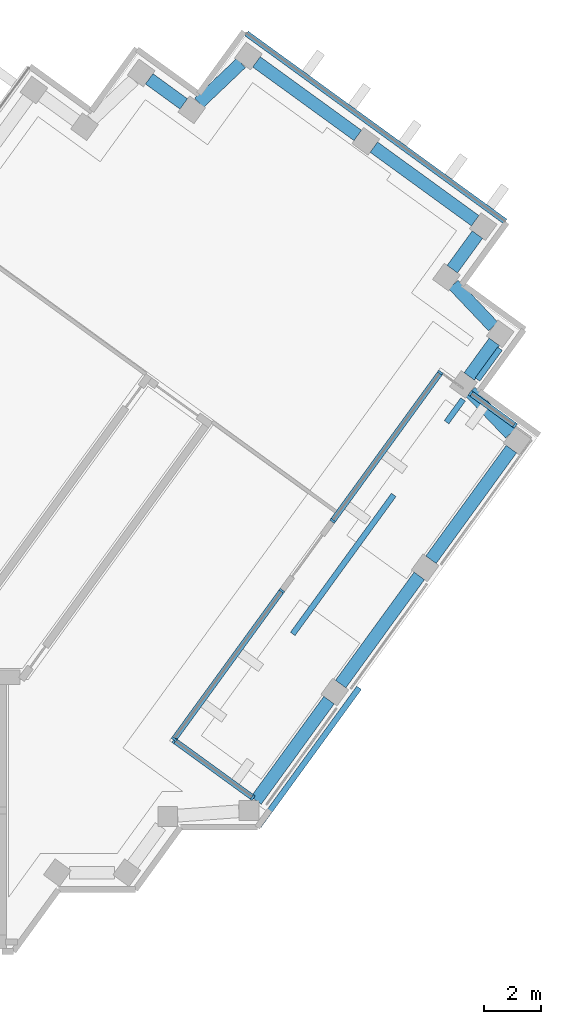
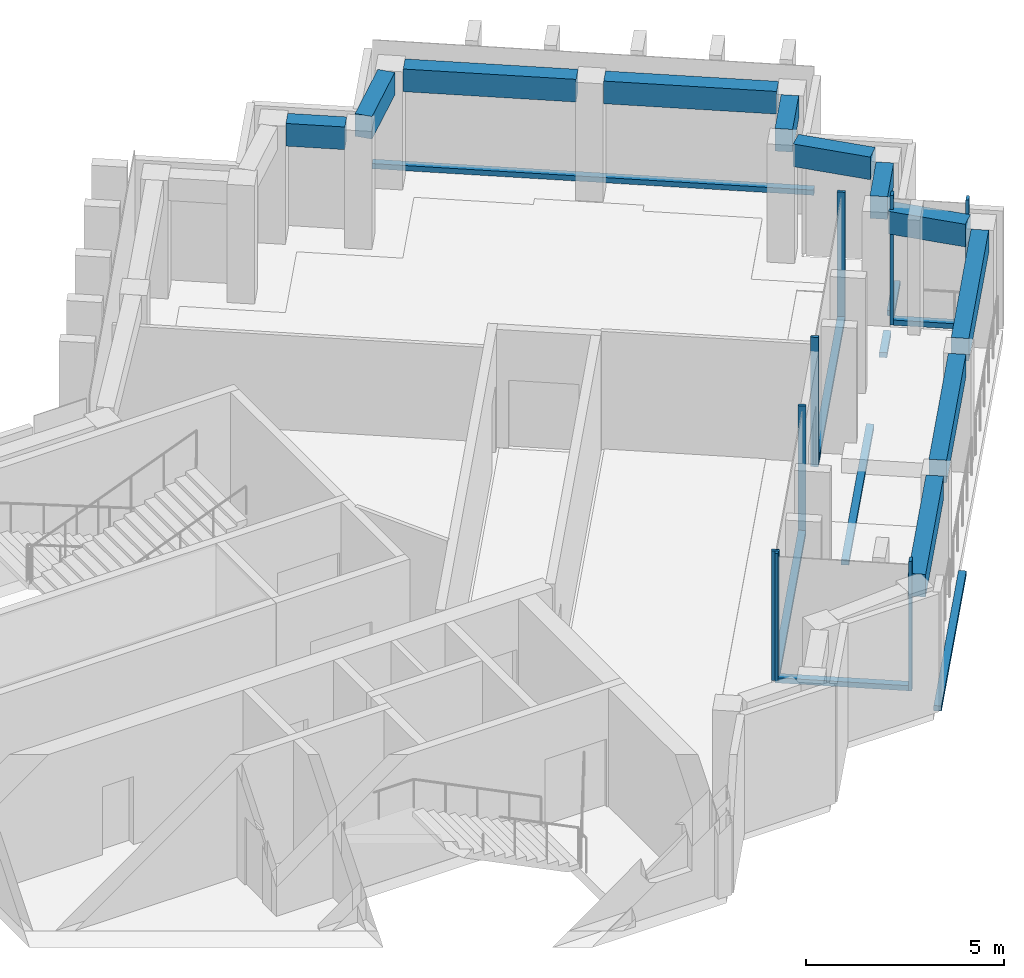
"""IFC4 building model written with IfcOpenShell, lengths in metres."""

from ifc_helpers import new_model, si_unit, direction, frame, origin, origin_2d, place, context, subcontext, project, spatial, rectangle, extrude, material, material_profile, profile_set, type_object, element, aggregate, save


model = new_model("IFC4")

# Units and contexts
model_context = context("Model", 3, precision=1e-05, world=origin(), true_north=direction((0.0, 1.0)))
body_context = subcontext(model_context, "Body", "Model", "MODEL_VIEW")
ifc_project = project(units=[si_unit("LENGTHUNIT", "METRE"), si_unit("AREAUNIT", "SQUARE_METRE"), si_unit("VOLUMEUNIT", "CUBIC_METRE"), si_unit("PLANEANGLEUNIT", "RADIAN"), si_unit("MASSUNIT", "GRAM", prefix="KILO")], contexts=[model_context])

# Site, building, storey
site_placement = place(None, origin())
site = spatial("IfcSite", under=ifc_project, at=site_placement, CompositionType="ELEMENT")
building_placement = place(site_placement, origin())
building = spatial("IfcBuilding", under=site, at=building_placement, Name="Quipu Civic Tower", CompositionType="ELEMENT")
storey_1_placement = place(building_placement, frame((0.0, 0.0, 315.0)))
storey_1 = spatial("IfcBuildingStorey", under=building, at=storey_1_placement, Name="L73", CompositionType="ELEMENT", Elevation=315.0)

# Curtain wall, members
ifc_material_1 = material(Name="Insulated glass unit", Category="glass")
curtain_wall_type = type_object("IfcCurtainWallType", Name="Office curtain wall CW1", PredefinedType="NOTDEFINED", material=ifc_material_1)
curtain_wall_1_placement = place(storey_1_placement, origin())
curtain_wall_1 = element("IfcCurtainWall", 1, at=curtain_wall_1_placement, inside=storey_1, type_object=curtain_wall_type, Name="Office curtain wall CW1 L73 run 3", PredefinedType="NOTDEFINED")
ifc_material_2 = material(Name="Anodised aluminium", Category="aluminium")
ifc_material_profile_1 = material_profile(ifc_material_2, rectangle(XDim=0.199951171875, YDim=0.080078125, at=origin_2d()), Name="RECT 200x80")
ifc_profile_set_1 = profile_set([ifc_material_profile_1], Name="Anodised aluminium")
member_type_1 = type_object("IfcMemberType", Name="Mullion CW1", PredefinedType="MULLION", material=ifc_profile_set_1)
member_1_placement = place(storey_1_placement, frame((28.662353515625, -5.675537109375, 0.080078125), z_axis=(0.0, 0.0, 1.0), x_axis=(-0.58778423342, -0.809017734628, 0.0)))
member_1 = element("IfcMember", 2, at=member_1_placement, type_object=member_type_1, Name="CW1 mullion 1", PredefinedType="MULLION", context=body_context, shape_type="SweptSolid", body=[
    extrude(rectangle(XDim=0.199951171875, YDim=0.080078125, at=origin_2d()), origin(), (0.0, 0.0, 1.0), 4.0),
])
member_2_placement = place(storey_1_placement, frame((25.908447265625, -3.6748046875, 0.080078125), z_axis=(0.0, 0.0, 1.0), x_axis=(-0.58778423342, -0.809017734628, 0.0)))
member_2 = element("IfcMember", 3, at=member_2_placement, type_object=member_type_1, Name="CW1 mullion 2", PredefinedType="MULLION", context=body_context, shape_type="SweptSolid", body=[
    extrude(rectangle(XDim=0.199951171875, YDim=0.080078125, at=origin_2d()), origin(), (0.0, 0.0, 1.0), 4.0),
])

curtain_wall_2_placement = place(storey_1_placement, origin())
curtain_wall_2 = element("IfcCurtainWall", 4, at=curtain_wall_2_placement, inside=storey_1, type_object=curtain_wall_type, Name="Office curtain wall CW1 L73 run 4", PredefinedType="NOTDEFINED")
member_3_placement = place(storey_1_placement, frame((25.899658203125, -3.618896484375, 0.080078125), z_axis=(0.0, 0.0, 1.0), x_axis=(-0.809011305716, 0.58779308198, 0.0)))
member_3 = element("IfcMember", 5, at=member_3_placement, type_object=member_type_1, Name="CW1 mullion 1", PredefinedType="MULLION", context=body_context, shape_type="SweptSolid", body=[
    extrude(rectangle(XDim=0.199951171875, YDim=0.080078125, at=origin_2d()), origin(), (0.0, 0.0, 1.0), 4.0),
])
member_4_placement = place(storey_1_placement, frame((29.68408203125, 1.58984375, 0.080078125), z_axis=(0.0, 0.0, 1.0), x_axis=(-0.809011305716, 0.58779308198, 0.0)))
member_4 = element("IfcMember", 6, at=member_4_placement, type_object=member_type_1, Name="CW1 mullion 2", PredefinedType="MULLION", context=body_context, shape_type="SweptSolid", body=[
    extrude(rectangle(XDim=0.199951171875, YDim=0.080078125, at=origin_2d()), origin(), (0.0, 0.0, 1.0), 4.0),
])

curtain_wall_3_placement = place(storey_1_placement, origin())
curtain_wall_3 = element("IfcCurtainWall", 7, at=curtain_wall_3_placement, inside=storey_1, type_object=curtain_wall_type, Name="Office curtain wall CW1 L73 run 6", PredefinedType="NOTDEFINED")
member_5_placement = place(storey_1_placement, frame((31.47265625, 4.0517578125, 0.080078125), z_axis=(0.0, 0.0, 1.0), x_axis=(-0.809016605967, 0.58778578689, 0.0)))
member_5 = element("IfcMember", 8, at=member_5_placement, type_object=member_type_1, Name="CW1 mullion 1", PredefinedType="MULLION", context=body_context, shape_type="SweptSolid", body=[
    extrude(rectangle(XDim=0.199951171875, YDim=0.080078125, at=origin_2d()), origin(), (0.0, 0.0, 1.0), 4.0),
])
member_6_placement = place(storey_1_placement, frame((35.257080078125, 9.2607421875, 0.080078125), z_axis=(0.0, 0.0, 1.0), x_axis=(-0.809016605967, 0.58778578689, 0.0)))
member_6 = element("IfcMember", 9, at=member_6_placement, type_object=member_type_1, Name="CW1 mullion 2", PredefinedType="MULLION", context=body_context, shape_type="SweptSolid", body=[
    extrude(rectangle(XDim=0.199951171875, YDim=0.080078125, at=origin_2d()), origin(), (0.0, 0.0, 1.0), 4.0),
])

curtain_wall_4_placement = place(storey_1_placement, origin())
curtain_wall_4 = element("IfcCurtainWall", 10, at=curtain_wall_4_placement, inside=storey_1, type_object=curtain_wall_type, Name="Office curtain wall CW1 L73 run 8", PredefinedType="NOTDEFINED")
member_7_placement = place(storey_1_placement, frame((36.324951171875, 8.5341796875, 0.080078125), z_axis=(0.0, 0.0, 1.0), x_axis=(0.587785088049, 0.809017113705, 0.0)))
member_7 = element("IfcMember", 11, at=member_7_placement, type_object=member_type_1, Name="CW1 mullion 1", PredefinedType="MULLION", context=body_context, shape_type="SweptSolid", body=[
    extrude(rectangle(XDim=0.199951171875, YDim=0.080078125, at=origin_2d()), origin(), (0.0, 0.0, 1.0), 4.0),
])
member_8_placement = place(storey_1_placement, frame((37.878173828125, 7.40576171875, 0.080078125), z_axis=(0.0, 0.0, 1.0), x_axis=(0.587785088049, 0.809017113705, 0.0)))
member_8 = element("IfcMember", 12, at=member_8_placement, type_object=member_type_1, Name="CW1 mullion 2", PredefinedType="MULLION", context=body_context, shape_type="SweptSolid", body=[
    extrude(rectangle(XDim=0.199951171875, YDim=0.080078125, at=origin_2d()), origin(), (0.0, 0.0, 1.0), 4.0),
])

# Beams
ifc_material_3 = material(Name="Concrete C50/60", Category="concrete")
ifc_material_profile_2 = material_profile(ifc_material_3, rectangle(XDim=0.449951171875, YDim=0.699951171875, at=origin_2d()), Name="RC450x700")
ifc_profile_set_2 = profile_set([ifc_material_profile_2], Name="Concrete C50/60")
beam_type = type_object("IfcBeamType", Name="Spandrel beam RC 450x700 C50/60", PredefinedType="SPANDREL", material=ifc_profile_set_2)
beam_1_placement = place(storey_1_placement, frame((28.779296875, -5.780029296875, 3.300048828125), z_axis=(0.58777550284, 0.809024077677, 0.0), x_axis=(-0.809024077677, 0.58777550284, 0.0)))
element("IfcBeam", 13, at=beam_1_placement, inside=storey_1, type_object=beam_type, Name="Spandrel beam L73 J-Eo.4 to E-OUT-01", PredefinedType="SPANDREL", context=body_context, shape_type="SweptSolid", body=[
    extrude(rectangle(XDim=0.449951171875, YDim=0.699951171875, at=origin_2d()), origin(), (0.0, 0.0, 1.0), 4.36083984375),
])
beam_2_placement = place(storey_1_placement, frame((31.75390625, -1.685546875, 3.300048828125), z_axis=(0.587788656305, 0.809014521204, 0.0), x_axis=(-0.809014521204, 0.587788656305, 0.0)))
element("IfcBeam", 14, at=beam_2_placement, inside=storey_1, type_object=beam_type, Name="Spandrel beam L73 E-OUT-01 to E-OUT-02", PredefinedType="SPANDREL", context=body_context, shape_type="SweptSolid", body=[
    extrude(rectangle(XDim=0.449951171875, YDim=0.699951171875, at=origin_2d()), origin(), (0.0, 0.0, 1.0), 4.7001953125),
])
beam_3_placement = place(storey_1_placement, frame((34.927978515625, 2.68310546875, 3.300048828125), z_axis=(0.587905928359, 0.808929304328, 0.0), x_axis=(-0.808929304328, 0.587905928359, 0.0)))
element("IfcBeam", 15, at=beam_3_placement, inside=storey_1, type_object=beam_type, Name="Spandrel beam L73 E-OUT-02 to T-Eo.0-E22", PredefinedType="SPANDREL", context=body_context, shape_type="SweptSolid", body=[
    extrude(rectangle(XDim=0.449951171875, YDim=0.699951171875, at=origin_2d()), origin(), (0.0, 0.0, 1.0), 4.80712890625),
])
beam_4_placement = place(storey_1_placement, frame((37.71484375, 7.11279296875, 3.300048828125), z_axis=(-0.689175330605, 0.724594620244, 0.0), x_axis=(-0.724594620244, -0.689175330605, 0.0)))
element("IfcBeam", 16, at=beam_4_placement, inside=storey_1, type_object=beam_type, Name="Spandrel beam L73 T-Eo.0-E22 to T-Eo.1-E22", PredefinedType="SPANDREL", context=body_context, shape_type="SweptSolid", body=[
    extrude(rectangle(XDim=0.449951171875, YDim=0.699951171875, at=origin_2d()), origin(), (0.0, 0.0, 1.0), 2.033447265625),
])
beam_5_placement = place(storey_1_placement, frame((36.273681640625, 9.12744140625, 3.300048828125), z_axis=(0.587164895097, 0.809467347066, 0.0), x_axis=(-0.809467347066, 0.587164895097, 0.0)))
element("IfcBeam", 17, at=beam_5_placement, inside=storey_1, type_object=beam_type, Name="Spandrel beam L73 T-Eo.1-E22 to T-Eo.2-E22", PredefinedType="SPANDREL", context=body_context, shape_type="SweptSolid", body=[
    extrude(rectangle(XDim=0.449951171875, YDim=0.699951171875, at=origin_2d()), origin(), (0.0, 0.0, 1.0), 1.500244140625),
])
beam_6_placement = place(storey_1_placement, frame((37.114990234375, 10.88330078125, 3.300048828125), z_axis=(-0.688247466856, 0.725475998477, 0.0), x_axis=(-0.725475998477, -0.688247466856, 0.0)))
element("IfcBeam", 18, at=beam_6_placement, inside=storey_1, type_object=beam_type, Name="Spandrel beam L73 T-Eo.2-E22 to T-Eo.3-E22", PredefinedType="SPANDREL", context=body_context, shape_type="SweptSolid", body=[
    extrude(rectangle(XDim=0.449951171875, YDim=0.699951171875, at=origin_2d()), origin(), (0.0, 0.0, 1.0), 2.032958984375),
])
beam_7_placement = place(storey_1_placement, frame((35.6767578125, 12.8994140625, 3.300048828125), z_axis=(0.588345920092, 0.808609348394, 0.0), x_axis=(-0.808609348394, 0.588345920092, 0.0)))
element("IfcBeam", 19, at=beam_7_placement, inside=storey_1, type_object=beam_type, Name="Spandrel beam L73 T-Eo.3-E22 to T-Eo.4-E22", PredefinedType="SPANDREL", context=body_context, shape_type="SweptSolid", body=[
    extrude(rectangle(XDim=0.449951171875, YDim=0.699951171875, at=origin_2d()), origin(), (0.0, 0.0, 1.0), 1.499755859375),
])
beam_8_placement = place(storey_1_placement, frame((36.481689453125, 14.6005859375, 3.300048828125), z_axis=(-0.809117270763, 0.587647208921, 0.0), x_axis=(-0.587647208921, -0.809117270763, 0.0)))
element("IfcBeam", 20, at=beam_8_placement, inside=storey_1, type_object=beam_type, Name="Spandrel beam L73 T-Eo.4-E22 to TIP-E-01-E22", PredefinedType="SPANDREL", context=body_context, shape_type="SweptSolid", body=[
    extrude(rectangle(XDim=0.449951171875, YDim=0.699951171875, at=origin_2d()), origin(), (0.0, 0.0, 1.0), 4.40185546875),
])
beam_9_placement = place(storey_1_placement, frame((32.353759765625, 17.5986328125, 3.300048828125), z_axis=(-0.809146152767, 0.587607439931, 0.0), x_axis=(-0.587607439931, -0.809146152767, 0.0)))
element("IfcBeam", 21, at=beam_9_placement, inside=storey_1, type_object=beam_type, Name="Spandrel beam L73 TIP-E-01-E22 to T-Ei.0-E22", PredefinedType="SPANDREL", context=body_context, shape_type="SweptSolid", body=[
    extrude(rectangle(XDim=0.449951171875, YDim=0.699951171875, at=origin_2d()), origin(), (0.0, 0.0, 1.0), 4.400390625),
])
beam_10_placement = place(storey_1_placement, frame((28.251708984375, 20.14501953125, 3.300048828125), z_axis=(-0.725359138958, -0.688370626574, 0.0), x_axis=(0.688370626574, -0.725359138958, 0.0)))
element("IfcBeam", 22, at=beam_10_placement, inside=storey_1, type_object=beam_type, Name="Spandrel beam L73 T-Ei.0-E22 to T-Ei.1-E22", PredefinedType="SPANDREL", context=body_context, shape_type="SweptSolid", body=[
    extrude(rectangle(XDim=0.449951171875, YDim=0.699951171875, at=origin_2d()), origin(), (0.0, 0.0, 1.0), 2.032958984375),
])
beam_11_placement = place(storey_1_placement, frame((26.236083984375, 18.70654296875, 3.300048828125), z_axis=(-0.808644589435, 0.588297482553, 0.0), x_axis=(-0.588297482553, -0.808644589435, 0.0)))
element("IfcBeam", 23, at=beam_11_placement, inside=storey_1, type_object=beam_type, Name="Spandrel beam L73 T-Ei.1-E22 to T-Ei.2-E22", PredefinedType="SPANDREL", context=body_context, shape_type="SweptSolid", body=[
    extrude(rectangle(XDim=0.449951171875, YDim=0.699951171875, at=origin_2d()), origin(), (0.0, 0.0, 1.0), 1.500244140625),
])

# Storey
storey_2_placement = place(building_placement, frame((0.0, 0.0, 311.0)))
storey_2 = spatial("IfcBuildingStorey", under=building, at=storey_2_placement, Name="L72", CompositionType="ELEMENT", Elevation=311.0)

# Curtain wall, member
curtain_wall_5_placement = place(storey_2_placement, origin())
curtain_wall_5 = element("IfcCurtainWall", 24, at=curtain_wall_5_placement, inside=storey_2, type_object=curtain_wall_type, Name="Office curtain wall CW1 L72 run 1", PredefinedType="NOTDEFINED")
ifc_material_4 = material(Name="Anodised aluminium", Category="aluminium")
ifc_material_profile_3 = material_profile(ifc_material_4, rectangle(XDim=0.199951171875, YDim=0.159912109375, at=origin_2d()), Name="RECT 200x160")
ifc_profile_set_3 = profile_set([ifc_material_profile_3], Name="Anodised aluminium")
member_type_2 = type_object("IfcMemberType", Name="Transom CW1", PredefinedType="USERDEFINED", material=ifc_profile_set_3)
member_9_placement = place(storey_1_placement, frame((28.876708984375, -6.66650390625, 0.0), z_axis=(0.587786666238, 0.809015967081, 0.0), x_axis=(-0.809015967081, 0.587786666238, 0.0)))
member_9 = element("IfcMember", 25, at=member_9_placement, inside=storey_1, type_object=member_type_2, Name="CW1 transom 1.2", ObjectType="TRANSOM", PredefinedType="USERDEFINED", context=body_context, shape_type="SweptSolid", body=[
    extrude(rectangle(XDim=0.199951171875, YDim=0.159912109375, at=origin_2d()), origin(), (0.0, 0.0, 1.0), 5.99560546875),
])
aggregate(curtain_wall_5, [member_9])

curtain_wall_6_placement = place(storey_2_placement, origin())
curtain_wall_6 = element("IfcCurtainWall", 26, at=curtain_wall_6_placement, inside=storey_2, type_object=curtain_wall_type, Name="Office curtain wall CW1 L72 run 3", PredefinedType="NOTDEFINED")
member_10_placement = place(storey_1_placement, frame((30.068115234375, 0.076904296875, 0.0), z_axis=(0.587777430815, 0.809022676953, 0.0), x_axis=(-0.809022676953, 0.587777430815, 0.0)))
member_10 = element("IfcMember", 27, at=member_10_placement, inside=storey_1, type_object=member_type_2, Name="CW1 transom 1.2", ObjectType="TRANSOM", PredefinedType="USERDEFINED", context=body_context, shape_type="SweptSolid", body=[
    extrude(rectangle(XDim=0.199951171875, YDim=0.159912109375, at=origin_2d()), origin(), (0.0, 0.0, 1.0), 6.039306640625),
])
aggregate(curtain_wall_6, [member_10])

curtain_wall_7_placement = place(storey_2_placement, origin())
curtain_wall_7 = element("IfcCurtainWall", 28, at=curtain_wall_7_placement, inside=storey_2, type_object=curtain_wall_type, Name="Office curtain wall CW1 L72 run 5", PredefinedType="NOTDEFINED")
member_11_placement = place(storey_1_placement, frame((35.475341796875, 7.51953125, 0.0), z_axis=(0.587819781808, 0.808991906087, 0.0), x_axis=(-0.808991906087, 0.587819781808, 0.0)))
member_11 = element("IfcMember", 29, at=member_11_placement, inside=storey_1, type_object=member_type_2, Name="CW1 transom 1.2", ObjectType="TRANSOM", PredefinedType="USERDEFINED", context=body_context, shape_type="SweptSolid", body=[
    extrude(rectangle(XDim=0.199951171875, YDim=0.159912109375, at=origin_2d()), origin(), (0.0, 0.0, 1.0), 0.990234375),
])
aggregate(curtain_wall_7, [member_11])

curtain_wall_8_placement = place(storey_2_placement, origin())
curtain_wall_8 = element("IfcCurtainWall", 30, at=curtain_wall_8_placement, inside=storey_2, type_object=curtain_wall_type, Name="Office curtain wall CW1 L72 run 6", PredefinedType="NOTDEFINED")
member_12_placement = place(storey_1_placement, frame((36.56298828125, 9.01611328125, 0.0), z_axis=(0.587716643915, 0.809066836834, 0.0), x_axis=(-0.809066836834, 0.587716643915, 0.0)))
member_12 = element("IfcMember", 31, at=member_12_placement, inside=storey_1, type_object=member_type_2, Name="CW1 transom 1.2", ObjectType="TRANSOM", PredefinedType="USERDEFINED", context=body_context, shape_type="SweptSolid", body=[
    extrude(rectangle(XDim=0.199951171875, YDim=0.159912109375, at=origin_2d()), origin(), (0.0, 0.0, 1.0), 1.340087890625),
])
aggregate(curtain_wall_8, [member_12])

curtain_wall_9_placement = place(storey_2_placement, origin())
curtain_wall_9 = element("IfcCurtainWall", 32, at=curtain_wall_9_placement, inside=storey_2, type_object=curtain_wall_type, Name="Office curtain wall CW1 L71 run 6", PredefinedType="NOTDEFINED")
member_13_placement = place(storey_1_placement, frame((37.536865234375, 14.575927734375, 0.080078125), z_axis=(-0.809022463805, 0.587777724194, 0.0), x_axis=(-0.587777724194, -0.809022463805, 0.0)))
member_13 = element("IfcMember", 33, at=member_13_placement, inside=storey_1, type_object=member_type_2, Name="CW1 transom 1.3", ObjectType="TRANSOM", PredefinedType="USERDEFINED", context=body_context, shape_type="SweptSolid", body=[
    extrude(rectangle(XDim=0.199951171875, YDim=0.159912109375, at=origin_2d()), origin(), (0.0, 0.0, 1.0), 11.240234375),
])
aggregate(curtain_wall_9, [member_13])

# Member
member_14_placement = place(storey_1_placement, frame((28.630126953125, -5.652099609375, 0.159912109375), z_axis=(-0.809012312399, 0.587791696426, 0.0), x_axis=(-0.587791696426, -0.809012312399, 0.0)))
member_14 = element("IfcMember", 34, at=member_14_placement, type_object=member_type_2, Name="CW1 transom 1.1", ObjectType="TRANSOM", PredefinedType="USERDEFINED", context=body_context, shape_type="SweptSolid", body=[
    extrude(rectangle(XDim=0.199951171875, YDim=0.159912109375, at=origin_2d()), origin(), (0.0, 0.0, 1.0), 3.323974609375),
])

aggregate(curtain_wall_1, [member_1, member_2, member_14])

member_15_placement = place(storey_1_placement, frame((25.923095703125, -3.58642578125, 0.159912109375), z_axis=(0.587804073239, 0.809003319822, 0.0), x_axis=(-0.809003319822, 0.587804073239, 0.0)))
member_15 = element("IfcMember", 35, at=member_15_placement, type_object=member_type_2, Name="CW1 transom 1.1", ObjectType="TRANSOM", PredefinedType="USERDEFINED", context=body_context, shape_type="SweptSolid", body=[
    extrude(rectangle(XDim=0.199951171875, YDim=0.159912109375, at=origin_2d()), origin(), (0.0, 0.0, 1.0), 6.3583984375),
])

aggregate(curtain_wall_2, [member_3, member_4, member_15])

member_16_placement = place(storey_1_placement, frame((31.496337890625, 4.084228515625, 0.159912109375), z_axis=(0.587778942742, 0.809021578494, 0.0), x_axis=(-0.809021578494, 0.587778942742, 0.0)))
member_16 = element("IfcMember", 36, at=member_16_placement, type_object=member_type_2, Name="CW1 transom 1.1", ObjectType="TRANSOM", PredefinedType="USERDEFINED", context=body_context, shape_type="SweptSolid", body=[
    extrude(rectangle(XDim=0.199951171875, YDim=0.159912109375, at=origin_2d()), origin(), (0.0, 0.0, 1.0), 6.3583984375),
])

aggregate(curtain_wall_3, [member_5, member_6, member_16])

member_17_placement = place(storey_1_placement, frame((36.357421875, 8.5107421875, 0.159912109375), z_axis=(0.809017199524, -0.587784969929, 0.0), x_axis=(0.587784969929, 0.809017199524, 0.0)))
member_17 = element("IfcMember", 37, at=member_17_placement, type_object=member_type_2, Name="CW1 transom 1.1", ObjectType="TRANSOM", PredefinedType="USERDEFINED", context=body_context, shape_type="SweptSolid", body=[
    extrude(rectangle(XDim=0.199951171875, YDim=0.159912109375, at=origin_2d()), origin(), (0.0, 0.0, 1.0), 1.839599609375),
])

aggregate(curtain_wall_4, [member_7, member_8, member_17])

save(model, "model.ifc")
